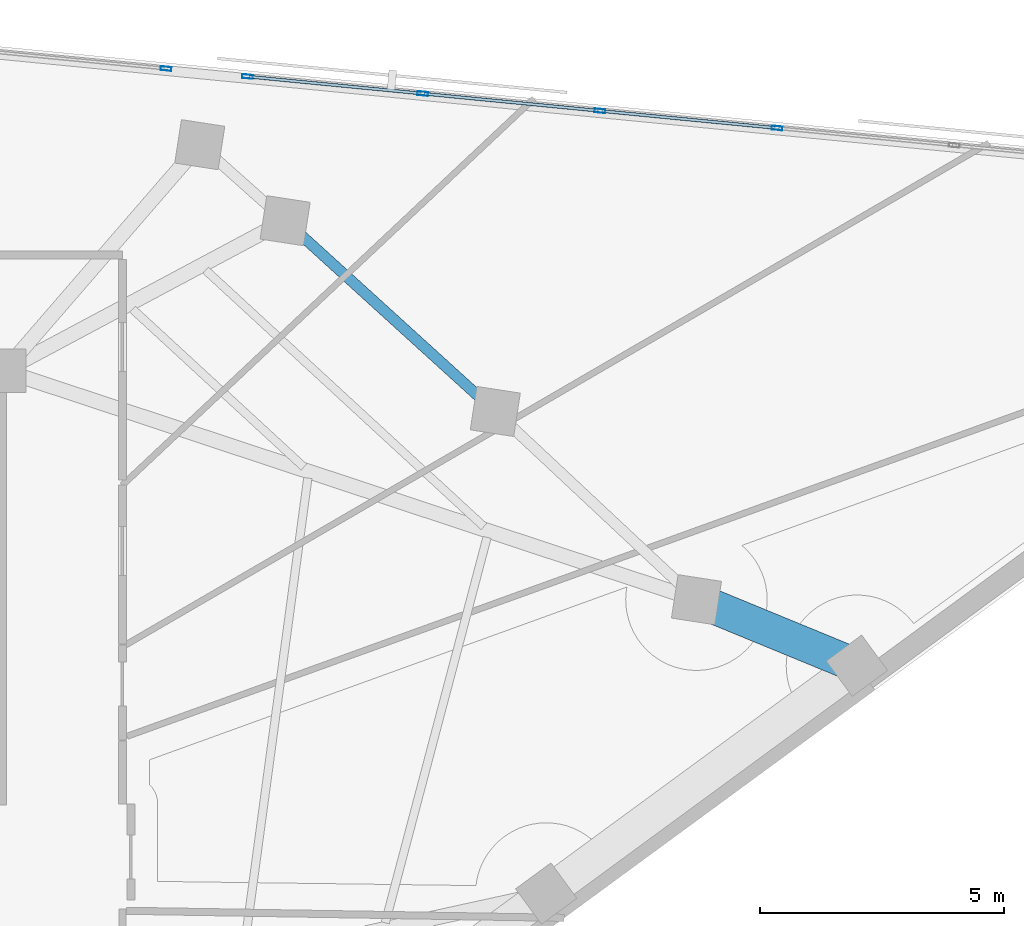
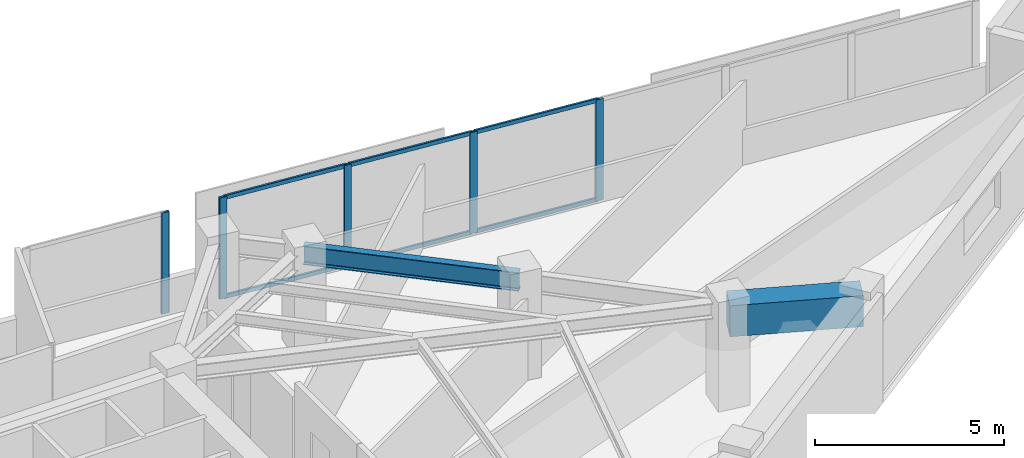
# One storey, part 5 of 14: 11 members, 2 beams, 2 elements without a shape of their own.
"""IFC4 building model written with IfcOpenShell, lengths in metres."""

import ifcopenshell
import ifcopenshell.guid

model = None  # the IFC model being written
_history = None  # IfcOwnerHistory: only IFC2X3 demands one
_inside = {}  # id of a spatial element -> (the spatial element, [elements in it])
_under = {}  # id of a project, library or spatial element -> (it, [spatial elements below it])
_declared = {}  # id of a project -> (the project, [libraries it declares])
_typed = {}  # id of a type object -> (the type object, [elements of that type])
_made_of = {}  # id of a material, layer set ... -> (it, [elements and type objects made of it])


def new_model(schema):
    """Start an empty IFC model of exactly this schema.

    Asked for "IFC4X3", IfcOpenShell would pick the latest addendum, in which some entities
    have other attributes; the version numbers below select the first issue.
    IFC2X3 requires an IfcOwnerHistory on every rooted entity: one is made here for all.
    """
    global model, _history
    if schema == "IFC4X3":
        model = ifcopenshell.file(schema_version=(4, 3, 0, 0))
    else:
        model = ifcopenshell.file(schema=schema)
    _inside.clear()
    _under.clear()
    _declared.clear()
    _typed.clear()
    _made_of.clear()
    _history = None
    if model.schema == "IFC2X3":
        org = make("IfcOrganization", Name="unknown")
        user = make(
            "IfcPersonAndOrganization",
            ThePerson=make("IfcPerson", FamilyName="unknown"),
            TheOrganization=org,
        )
        app = make(
            "IfcApplication",
            ApplicationDeveloper=org,
            Version="unknown",
            ApplicationFullName="unknown",
            ApplicationIdentifier="unknown",
        )
        _history = make(
            "IfcOwnerHistory",
            OwningUser=user,
            OwningApplication=app,
            ChangeAction="ADDED",
            CreationDate=0,
        )
    return model


def make(cls, **values):
    """One entity of the class cls with the attributes given. An attribute that is None is left unset."""
    return model.create_entity(
        cls, **{name: value for name, value in values.items() if value is not None}
    )


def rooted(cls, **values):
    """An entity with a GlobalId (a new one), such as an element, a storey or a relation."""
    return make(cls, GlobalId=ifcopenshell.guid.new(), OwnerHistory=_history, **values)


def si_unit(unit_type, name, prefix=None):
    """IfcSIUnit, for example si_unit("LENGTHUNIT", "METRE", prefix="MILLI")."""
    return make("IfcSIUnit", UnitType=unit_type, Prefix=prefix, Name=name)


def assignment(units):
    """IfcUnitAssignment: the units of a project."""
    return None if units is None else make("IfcUnitAssignment", Units=units)


def point(xyz):
    """IfcCartesianPoint."""
    return None if xyz is None else make("IfcCartesianPoint", Coordinates=xyz)


def direction(xyz):
    """IfcDirection."""
    return None if xyz is None else make("IfcDirection", DirectionRatios=xyz)


def frame(location, z_axis=None, x_axis=None):
    """IfcAxis2Placement3D, a coordinate frame: its origin and axes. An axis left out is left unset."""
    return make(
        "IfcAxis2Placement3D",
        Location=point(location),
        Axis=direction(z_axis),
        RefDirection=direction(x_axis),
    )


def frame_2d(location, x_axis=None):
    """IfcAxis2Placement2D, a coordinate frame in the plane: its origin and x axis."""
    return make(
        "IfcAxis2Placement2D", Location=point(location), RefDirection=direction(x_axis)
    )


def origin():
    """The frame at (0, 0, 0) with its axes left unset."""
    return frame((0.0, 0.0, 0.0))


def origin_2d():
    """The frame at (0, 0) in the plane with its x axis left unset."""
    return frame_2d((0.0, 0.0))


def place(relative_to, where):
    """IfcLocalPlacement: puts the frame where relative to a parent placement (None: the world)."""
    return make(
        "IfcLocalPlacement", PlacementRelTo=relative_to, RelativePlacement=where
    )


def context(
    kind, dimensions, precision=None, world=None, true_north=None, identifier=None
):
    """IfcGeometricRepresentationContext, for example the 3D "Model" context."""
    return make(
        "IfcGeometricRepresentationContext",
        ContextIdentifier=identifier,
        ContextType=kind,
        CoordinateSpaceDimension=dimensions,
        Precision=precision,
        WorldCoordinateSystem=world,
        TrueNorth=true_north,
    )


def subcontext(parent, identifier, kind, view, scale=None):
    """IfcGeometricRepresentationSubContext, for example "Body" below "Model"."""
    return make(
        "IfcGeometricRepresentationSubContext",
        ContextIdentifier=identifier,
        ContextType=kind,
        ParentContext=parent,
        TargetScale=scale,
        TargetView=view,
    )


def project(units=None, contexts=None):
    """IfcProject with its units and contexts."""
    return rooted(
        "IfcProject",
        Name="project",
        RepresentationContexts=contexts,
        UnitsInContext=assignment(units),
    )


def spatial(cls, under=None, at=None, **own):
    """A site, building, storey or space (cls), placed at a placement, below another one or the project."""
    s = rooted(cls, ObjectPlacement=at, **own)
    if under is not None:
        _under.setdefault(under.id(), (under, []))[1].append(s)
    return s


def profile(cls, at=None, kind="AREA", **sizes):
    """A parametric profile (cls). Its sizes go by their IFC names, for example OverallWidth=200.0."""
    return make(cls, ProfileType=kind, Position=at, **sizes)


def rectangle(**sizes):
    """IfcRectangleProfileDef."""
    return profile("IfcRectangleProfileDef", **sizes)


def hollow_rectangle(**sizes):
    """IfcRectangleHollowProfileDef."""
    return profile("IfcRectangleHollowProfileDef", **sizes)


def i_section(**sizes):
    """IfcIShapeProfileDef."""
    return profile("IfcIShapeProfileDef", **sizes)


def extrude(swept, where, along, depth):
    """IfcExtrudedAreaSolid: the profile swept, set in the frame where, extruded along a direction by depth."""
    return make(
        "IfcExtrudedAreaSolid",
        SweptArea=swept,
        Position=where,
        ExtrudedDirection=direction(along),
        Depth=depth,
    )


def shape(context_of_items, identifier, shape_type, items):
    """IfcShapeRepresentation: the items that make up one representation, for example the "Body"."""
    return make(
        "IfcShapeRepresentation",
        ContextOfItems=context_of_items,
        RepresentationIdentifier=identifier,
        RepresentationType=shape_type,
        Items=items,
    )


def material(Name=None, Category=None):
    """IfcMaterial."""
    return make("IfcMaterial", Name=Name, Category=Category)


def material_profile(
    of_material, cross_section, Name=None, Category=None, Priority=None
):
    """IfcMaterialProfile: a cross section and its material."""
    return make(
        "IfcMaterialProfile",
        Name=Name,
        Material=of_material,
        Profile=cross_section,
        Priority=Priority,
        Category=Category,
    )


def profile_set(profiles, Name=None, composite=None):
    """IfcMaterialProfileSet."""
    return make(
        "IfcMaterialProfileSet",
        Name=Name,
        MaterialProfiles=profiles,
        CompositeProfile=composite,
    )


def made_of(thing, what):
    """Note that an element or type object is made of a material, layer set ...; save() writes the relation."""
    if what is not None:
        _made_of.setdefault(what.id(), (what, []))[1].append(thing)
    return thing


def type_object(cls, material=None, **own):
    """A type object (cls), such as IfcWallType, which elements share."""
    return made_of(rooted(cls, **own), material)


def element(
    cls,
    number,
    at=None,
    inside=None,
    cuts=None,
    type_object=None,
    material=None,
    context=None,
    identifier="Body",
    shape_type=None,
    held_by="IfcProductDefinitionShape",
    body=None,
    shapes=None,
    **own,
):
    """One element of the class cls, such as IfcWall. Its Tag is "e" and its number.

    at: its placement. inside: the storey or other place that contains it. cuts: it is an
    opening in that element (IfcRelVoidsElement). A single representation is given by context,
    identifier, shape_type and body (its items); several are given by shapes. held_by: the class
    of the entity that holds the representations. save() writes the other relations.
    """
    e = rooted(cls, Tag="e%d" % number, ObjectPlacement=at, **own)
    if body is not None:
        shapes = [shape(context, identifier, shape_type, body)]
    if shapes is not None:
        e.Representation = make(held_by, Representations=shapes)
    if inside is not None:
        _inside.setdefault(inside.id(), (inside, []))[1].append(e)
    if cuts is not None:
        rooted(
            "IfcRelVoidsElement", RelatingBuildingElement=cuts, RelatedOpeningElement=e
        )
    if type_object is not None:
        _typed.setdefault(type_object.id(), (type_object, []))[1].append(e)
    return made_of(e, material)


def aggregate(whole, parts):
    """IfcRelAggregates: a whole, such as a stair, and the parts it consists of."""
    return rooted("IfcRelAggregates", RelatingObject=whole, RelatedObjects=parts)


def save(model, path):
    """Write the relations noted so far, then the file.

    IfcRelAggregates (storeys below a building ...), IfcRelContainedInSpatialStructure (elements
    in a storey), IfcRelDefinesByType, IfcRelAssociatesMaterial and IfcRelDeclares: one each for
    every whole, place, type object, material and project.
    """
    for whole, parts in _under.values():
        aggregate(whole, parts)
    for where, things in _inside.values():
        rooted(
            "IfcRelContainedInSpatialStructure",
            RelatedElements=things,
            RelatingStructure=where,
        )
    for kind, things in _typed.values():
        rooted("IfcRelDefinesByType", RelatedObjects=things, RelatingType=kind)
    for what, things in _made_of.values():
        rooted("IfcRelAssociatesMaterial", RelatedObjects=things, RelatingMaterial=what)
    for by, libraries in _declared.values():
        rooted("IfcRelDeclares", RelatingContext=by, RelatedDefinitions=libraries)
    model.write(path)


model = new_model("IFC4")

# Units and contexts
model_context = context("Model", 3, precision=1e-05, world=origin(), true_north=direction((0.0, 1.0)))
body_context = subcontext(model_context, "Body", "Model", "MODEL_VIEW")
ifc_project = project(units=[si_unit("LENGTHUNIT", "METRE"), si_unit("AREAUNIT", "SQUARE_METRE"), si_unit("VOLUMEUNIT", "CUBIC_METRE"), si_unit("PLANEANGLEUNIT", "RADIAN"), si_unit("MASSUNIT", "GRAM", prefix="KILO")], contexts=[model_context])

# Site, building, storey
site_placement = place(None, origin())
site = spatial("IfcSite", under=ifc_project, at=site_placement, CompositionType="ELEMENT")
building_placement = place(site_placement, origin())
building = spatial("IfcBuilding", under=site, at=building_placement, Name="Narakoshi Arena Tower", CompositionType="ELEMENT")
storey_placement = place(building_placement, frame((0.0, 0.0, 250.179931640625)))
storey = spatial("IfcBuildingStorey", under=building, at=storey_placement, Name="L68", CompositionType="ELEMENT", Elevation=250.179931640625)

# Beams
ifc_material_1 = material(Name="Concrete C60/75", Category="concrete")
ifc_material_profile_1 = material_profile(ifc_material_1, rectangle(XDim=0.699951171875, YDim=1.0, at=origin_2d()), Name="RCB700x1000")
ifc_profile_set_1 = profile_set([ifc_material_profile_1], Name="Concrete C60/75")
beam_type_1 = type_object("IfcBeamType", Name="BM-CPL-1000", PredefinedType="BEAM", material=ifc_profile_set_1)
beam_1_placement = place(storey_placement, frame((103.032470703125, 50.45361328125, 2.760009765625), z_axis=(-0.924787502584, 0.380484001063, 0.0), x_axis=(-0.380484001063, -0.924787502584, 0.0)))
element("IfcBeam", 1, at=beam_1_placement, inside=storey, type_object=beam_type_1, Name="L68 Perimeter Edge Girder 03", PredefinedType="BEAM", context=body_context, shape_type="SweptSolid", body=[
    extrude(rectangle(XDim=0.699951171875, YDim=1.0, at=origin_2d()), origin(), (0.0, 0.0, 1.0), 3.557373046875),
])
ifc_material_2 = material(Name="Structural steel S355J2", Category="steel")
ifc_material_profile_2 = material_profile(ifc_material_2, i_section(OverallWidth=0.219970703125, OverallDepth=0.60009765625, WebThickness=0.011962890625, FlangeThickness=0.01904296875, FilletRadius=0.02392578125, at=origin_2d()), Name="IPE600")
ifc_profile_set_2 = profile_set([ifc_material_profile_2], Name="Structural steel S355J2")
beam_type_2 = type_object("IfcBeamType", Name="BM-EDGE-600", PredefinedType="BEAM", material=ifc_profile_set_2)
beam_2_placement = place(storey_placement, frame((95.619384765625, 55.665283203125, 2.9599609375), z_axis=(-0.740395559013, 0.672171418757, 0.0), x_axis=(-0.672171418757, -0.740395559013, 0.0)))
element("IfcBeam", 2, at=beam_2_placement, inside=storey, type_object=beam_type_2, Name="L68 Perimeter Edge Girder 05", PredefinedType="BEAM", context=body_context, shape_type="SweptSolid", body=[
    extrude(i_section(OverallWidth=0.219970703125, OverallDepth=0.60009765625, WebThickness=0.011962890625, FlangeThickness=0.01904296875, FilletRadius=0.02392578125, at=origin_2d()), origin(), (0.0, 0.0, 1.0), 5.818603515625),
])

# Curtain wall, members
ifc_material_3 = material(Name="Anodised bronze aluminium 6063-T6", Category="aluminium")
curtain_wall_type = type_object("IfcCurtainWallType", Name="CW-HYP-HIGH", PredefinedType="NOTDEFINED", material=ifc_material_3)
curtain_wall_1_placement = place(storey_placement, origin())
curtain_wall_1 = element("IfcCurtainWall", 3, at=curtain_wall_1_placement, inside=storey, type_object=curtain_wall_type, Name="L68 Folded Hypotenuse Curtain Wall 1-1", PredefinedType="NOTDEFINED")
ifc_material_profile_3 = material_profile(ifc_material_3, hollow_rectangle(XDim=0.080078125, YDim=0.219970703125, WallThickness=0.0048828125, OuterFilletRadius=0.006103515625, at=origin_2d()), Name="MUL220x80x5")
ifc_profile_set_3 = profile_set([ifc_material_profile_3], Name="Anodised bronze aluminium 6063-T6")
member_type_1 = type_object("IfcMemberType", Name="MEM-MUL-220", PredefinedType="MULLION", material=ifc_profile_set_3)
member_1_placement = place(storey_placement, frame((101.3955078125, 61.47509765625, 0.0), z_axis=(0.0, 0.0, 1.0), x_axis=(-0.096851320996, -0.995298860454, 0.0)))
member_1 = element("IfcMember", 4, at=member_1_placement, type_object=member_type_1, Name="CW-03 mullion 4", PredefinedType="MULLION", context=body_context, shape_type="SweptSolid", body=[
    extrude(hollow_rectangle(XDim=0.080078125, YDim=0.219970703125, WallThickness=0.0048828125, OuterFilletRadius=0.006103515625, at=origin_2d()), origin(), (0.0, 0.0, 1.0), 3.260009765625),
])
member_2_placement = place(storey_placement, frame((97.763916015625, 61.828369140625, 0.0), z_axis=(0.0, 0.0, 1.0), x_axis=(-0.096851320996, -0.995298860454, 0.0)))
member_2 = element("IfcMember", 5, at=member_2_placement, type_object=member_type_1, Name="CW-03 mullion 5", PredefinedType="MULLION", context=body_context, shape_type="SweptSolid", body=[
    extrude(hollow_rectangle(XDim=0.080078125, YDim=0.219970703125, WallThickness=0.0048828125, OuterFilletRadius=0.006103515625, at=origin_2d()), origin(), (0.0, 0.0, 1.0), 3.260009765625),
])
member_3_placement = place(storey_placement, frame((94.13232421875, 62.181884765625, 0.0), z_axis=(0.0, 0.0, 1.0), x_axis=(-0.096851320996, -0.995298860454, 0.0)))
member_3 = element("IfcMember", 6, at=member_3_placement, type_object=member_type_1, Name="CW-03 mullion 6", PredefinedType="MULLION", context=body_context, shape_type="SweptSolid", body=[
    extrude(hollow_rectangle(XDim=0.080078125, YDim=0.219970703125, WallThickness=0.0048828125, OuterFilletRadius=0.006103515625, at=origin_2d()), origin(), (0.0, 0.0, 1.0), 3.260009765625),
])
member_4_placement = place(storey_placement, frame((90.54052734375, 62.53125, 0.0), z_axis=(0.0, 0.0, 1.0), x_axis=(-0.096851320996, -0.995298860454, 0.0)))
member_4 = element("IfcMember", 7, at=member_4_placement, type_object=member_type_1, Name="CW-03 mullion 7", PredefinedType="MULLION", context=body_context, shape_type="SweptSolid", body=[
    extrude(hollow_rectangle(XDim=0.080078125, YDim=0.219970703125, WallThickness=0.0048828125, OuterFilletRadius=0.006103515625, at=origin_2d()), origin(), (0.0, 0.0, 1.0), 3.260009765625),
])

# Curtain wall, member
curtain_wall_2_placement = place(storey_placement, origin())
curtain_wall_2 = element("IfcCurtainWall", 8, at=curtain_wall_2_placement, inside=storey, type_object=curtain_wall_type, Name="L68 Folded Hypotenuse Curtain Wall 1-2", PredefinedType="NOTDEFINED")
member_5_placement = place(storey_placement, frame((88.87060546875, 62.69384765625, 0.0), z_axis=(0.0, 0.0, 1.0), x_axis=(-0.096842858471, -0.995299683896, 0.0)))
member_5 = element("IfcMember", 9, at=member_5_placement, type_object=member_type_1, Name="CW-03 mullion 1", PredefinedType="MULLION", context=body_context, shape_type="SweptSolid", body=[
    extrude(hollow_rectangle(XDim=0.080078125, YDim=0.219970703125, WallThickness=0.0048828125, OuterFilletRadius=0.006103515625, at=origin_2d()), origin(), (0.0, 0.0, 1.0), 3.260009765625),
])
aggregate(curtain_wall_2, [member_5])

# Member
ifc_material_profile_4 = material_profile(ifc_material_3, hollow_rectangle(XDim=0.06494140625, YDim=0.1298828125, WallThickness=0.00390625, OuterFilletRadius=0.0048828125, at=origin_2d()), Name="TRN130x65x4")
ifc_profile_set_4 = profile_set([ifc_material_profile_4], Name="Anodised bronze aluminium 6063-T6")
member_type_2 = type_object("IfcMemberType", Name="MEM-TRN-130", PredefinedType="USERDEFINED", material=ifc_profile_set_4)
member_6_placement = place(storey_placement, frame((101.355712890625, 61.47900390625, 0.032470703125), z_axis=(-0.995303775278, 0.096800800194, 0.0), x_axis=(-0.096800800194, -0.995303775278, 0.0)))
member_6 = element("IfcMember", 10, at=member_6_placement, type_object=member_type_2, Name="CW-03 transom 4.1", ObjectType="TRANSOM", PredefinedType="USERDEFINED", context=body_context, shape_type="SweptSolid", body=[
    extrude(hollow_rectangle(XDim=0.06494140625, YDim=0.1298828125, WallThickness=0.00390625, OuterFilletRadius=0.0048828125, at=origin_2d()), origin(), (0.0, 0.0, 1.0), 3.56884765625),
])

member_7_placement = place(storey_placement, frame((101.355712890625, 61.47900390625, 3.2275390625), z_axis=(-0.995303775278, 0.096800800194, 0.0), x_axis=(-0.096800800194, -0.995303775278, 0.0)))
member_7 = element("IfcMember", 11, at=member_7_placement, type_object=member_type_2, Name="CW-03 transom 4.2", ObjectType="TRANSOM", PredefinedType="USERDEFINED", context=body_context, shape_type="SweptSolid", body=[
    extrude(hollow_rectangle(XDim=0.06494140625, YDim=0.1298828125, WallThickness=0.00390625, OuterFilletRadius=0.0048828125, at=origin_2d()), origin(), (0.0, 0.0, 1.0), 3.56884765625),
])

member_8_placement = place(storey_placement, frame((97.72412109375, 61.832275390625, 0.032470703125), z_axis=(-0.995297181926, 0.096868568947, 0.0), x_axis=(-0.096868568947, -0.995297181926, 0.0)))
member_8 = element("IfcMember", 12, at=member_8_placement, type_object=member_type_2, Name="CW-03 transom 5.1", ObjectType="TRANSOM", PredefinedType="USERDEFINED", context=body_context, shape_type="SweptSolid", body=[
    extrude(hollow_rectangle(XDim=0.06494140625, YDim=0.1298828125, WallThickness=0.00390625, OuterFilletRadius=0.0048828125, at=origin_2d()), origin(), (0.0, 0.0, 1.0), 3.56884765625),
])

member_9_placement = place(storey_placement, frame((97.72412109375, 61.832275390625, 3.2275390625), z_axis=(-0.995297181926, 0.096868568947, 0.0), x_axis=(-0.096868568947, -0.995297181926, 0.0)))
member_9 = element("IfcMember", 13, at=member_9_placement, type_object=member_type_2, Name="CW-03 transom 5.2", ObjectType="TRANSOM", PredefinedType="USERDEFINED", context=body_context, shape_type="SweptSolid", body=[
    extrude(hollow_rectangle(XDim=0.06494140625, YDim=0.1298828125, WallThickness=0.00390625, OuterFilletRadius=0.0048828125, at=origin_2d()), origin(), (0.0, 0.0, 1.0), 3.56884765625),
])

member_10_placement = place(storey_placement, frame((94.092529296875, 62.185791015625, 0.032470703125), z_axis=(-0.995304755232, 0.096790723799, 0.0), x_axis=(-0.096790723799, -0.995304755232, 0.0)))
member_10 = element("IfcMember", 14, at=member_10_placement, type_object=member_type_2, Name="CW-03 transom 6.1", ObjectType="TRANSOM", PredefinedType="USERDEFINED", context=body_context, shape_type="SweptSolid", body=[
    extrude(hollow_rectangle(XDim=0.06494140625, YDim=0.1298828125, WallThickness=0.00390625, OuterFilletRadius=0.0048828125, at=origin_2d()), origin(), (0.0, 0.0, 1.0), 3.52880859375),
])

member_11_placement = place(storey_placement, frame((94.092529296875, 62.185791015625, 3.2275390625), z_axis=(-0.995304755232, 0.096790723799, 0.0), x_axis=(-0.096790723799, -0.995304755232, 0.0)))
member_11 = element("IfcMember", 15, at=member_11_placement, type_object=member_type_2, Name="CW-03 transom 6.2", ObjectType="TRANSOM", PredefinedType="USERDEFINED", context=body_context, shape_type="SweptSolid", body=[
    extrude(hollow_rectangle(XDim=0.06494140625, YDim=0.1298828125, WallThickness=0.00390625, OuterFilletRadius=0.0048828125, at=origin_2d()), origin(), (0.0, 0.0, 1.0), 3.52880859375),
])

aggregate(curtain_wall_1, [member_1, member_2, member_3, member_4, member_6, member_7, member_8, member_9, member_10, member_11])

save(model, "model.ifc")
